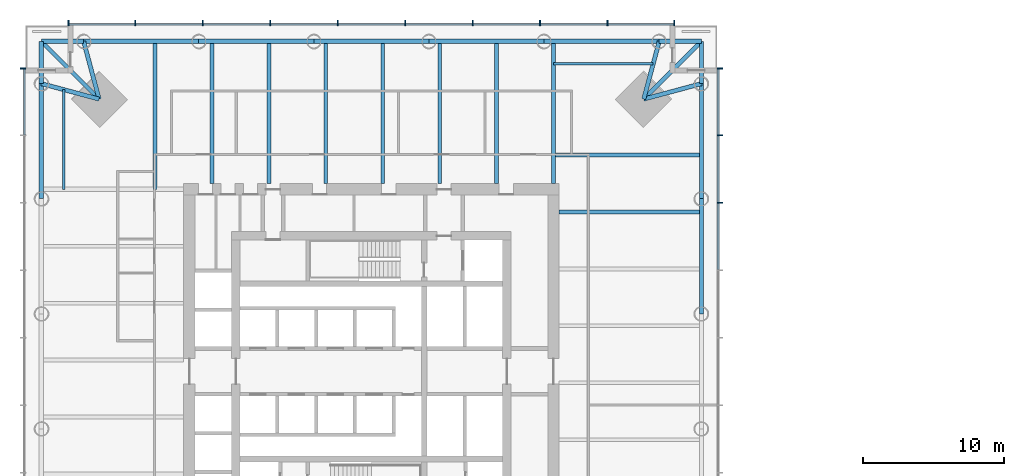
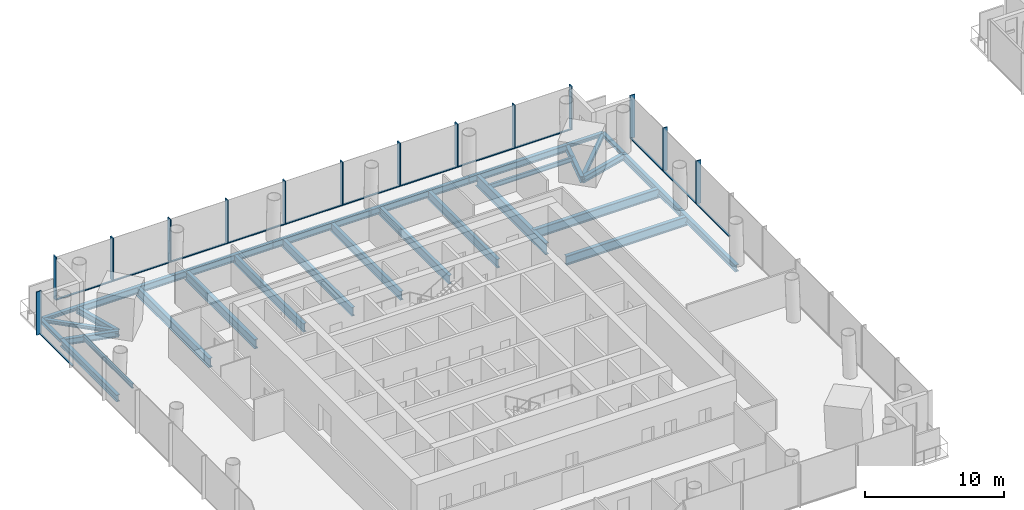
# One storey, part 4 of 22: 30 beams, 27 members, 3 elements without a shape of their own.
"""IFC4 building model written with IfcOpenShell, lengths in metres."""

from ifc_helpers import new_model, si_unit, direction, frame, origin, origin_2d, place, context, subcontext, project, spatial, rectangle, i_section, extrude, material, material_profile, profile_set, type_object, element, aggregate, save


model = new_model("IFC4")

# Units and contexts
model_context = context("Model", 3, precision=1e-05, world=origin(), true_north=direction((0.0, 1.0)))
body_context = subcontext(model_context, "Body", "Model", "MODEL_VIEW")
ifc_project = project(units=[si_unit("LENGTHUNIT", "METRE"), si_unit("AREAUNIT", "SQUARE_METRE"), si_unit("VOLUMEUNIT", "CUBIC_METRE"), si_unit("PLANEANGLEUNIT", "RADIAN"), si_unit("MASSUNIT", "GRAM", prefix="KILO")], contexts=[model_context])

# Site, building, storey
site_placement = place(None, origin())
site = spatial("IfcSite", under=ifc_project, at=site_placement, CompositionType="ELEMENT")
building_placement = place(site_placement, origin())
building = spatial("IfcBuilding", under=site, at=building_placement, Name="Ostroluk Exchange", CompositionType="ELEMENT")
storey_placement = place(building_placement, frame((0.0, 0.0, 40.0)))
storey = spatial("IfcBuildingStorey", under=building, at=storey_placement, Name="L09", CompositionType="ELEMENT", Elevation=40.0)

# Beams
ifc_material_1 = material(Name="Steel S355", Category="steel")
ifc_material_profile_1 = material_profile(ifc_material_1, i_section(OverallWidth=0.300048828125, OverallDepth=0.300048828125, WebThickness=0.010986328125, FlangeThickness=0.01904296875, FilletRadius=0.027099609375, at=origin_2d()), Name="HEB 300")
ifc_profile_set_1 = profile_set([ifc_material_profile_1], Name="Steel S355")
beam_type_1 = type_object("IfcBeamType", Name="Balcony beam HEB 300", PredefinedType="BEAM", material=ifc_profile_set_1)
for number, where, z_axis, x_axis, name in (
    (1, (68.392822265625, 66.392822265625, -0.330078125), (0.0, 1.0, 0.0), (-1.0, 0.0, 0.0), "T1 east balcony beam a"),
    (2, (65.392822265625, 69.392822265625, -0.330078125), (1.0, 0.0, 0.0), (0.0, 1.0, 0.0), "T1 east balcony beam b"),
):
    element("IfcBeam", number, at=place(storey_placement, frame(where, z_axis=z_axis, x_axis=x_axis)), inside=storey, type_object=beam_type_1, Name=name, PredefinedType="BEAM", context=body_context, shape_type="SweptSolid", body=[
        extrude(i_section(OverallWidth=0.300048828125, OverallDepth=0.300048828125, WebThickness=0.010986328125, FlangeThickness=0.01904296875, FilletRadius=0.027099609375, at=origin_2d()), origin(), (0.0, 0.0, 1.0), 3.0),
    ])
beam_1_placement = place(storey_placement, frame((64.29296875, 65.29296875, -0.330078125), z_axis=(0.707106781187, 0.707106781187, 0.0), x_axis=(-0.707106781187, 0.707106781187, 0.0)))
element("IfcBeam", 3, at=beam_1_placement, inside=storey, type_object=beam_type_1, Name="T1 east balcony beam c", PredefinedType="BEAM", context=body_context, shape_type="SweptSolid", body=[
    extrude(i_section(OverallWidth=0.300048828125, OverallDepth=0.300048828125, WebThickness=0.010986328125, FlangeThickness=0.01904296875, FilletRadius=0.027099609375, at=origin_2d()), origin(), (0.0, 0.0, 1.0), 5.798095703125),
])
for number, where, z_axis, x_axis, name in (
    (4, (24.607177734375, 69.392822265625, -0.330078125), (-1.0, 0.0, 0.0), (0.0, -1.0, 0.0), "T1 north balcony beam a"),
    (5, (21.607177734375, 66.392822265625, -0.330078125), (0.0, 1.0, 0.0), (-1.0, 0.0, 0.0), "T1 north balcony beam b"),
):
    element("IfcBeam", number, at=place(storey_placement, frame(where, z_axis=z_axis, x_axis=x_axis)), inside=storey, type_object=beam_type_1, Name=name, PredefinedType="BEAM", context=body_context, shape_type="SweptSolid", body=[
        extrude(i_section(OverallWidth=0.300048828125, OverallDepth=0.300048828125, WebThickness=0.010986328125, FlangeThickness=0.01904296875, FilletRadius=0.027099609375, at=origin_2d()), origin(), (0.0, 0.0, 1.0), 3.0),
    ])
beam_2_placement = place(storey_placement, frame((25.70703125, 65.29296875, -0.330078125), z_axis=(-0.707106781187, 0.707106781187, 0.0), x_axis=(-0.707106781187, -0.707106781187, 0.0)))
element("IfcBeam", 6, at=beam_2_placement, inside=storey, type_object=beam_type_1, Name="T1 north balcony beam c", PredefinedType="BEAM", context=body_context, shape_type="SweptSolid", body=[
    extrude(i_section(OverallWidth=0.300048828125, OverallDepth=0.300048828125, WebThickness=0.010986328125, FlangeThickness=0.01904296875, FilletRadius=0.027099609375, at=origin_2d()), origin(), (0.0, 0.0, 1.0), 5.798095703125),
])
ifc_material_2 = material(Name="Steel S355", Category="steel")
ifc_material_profile_2 = material_profile(ifc_material_2, i_section(OverallWidth=0.300048828125, OverallDepth=0.550048828125, WebThickness=0.014892578125, FlangeThickness=0.029052734375, FilletRadius=0.027099609375, at=origin_2d()), Name="HEB 550")
ifc_profile_set_2 = profile_set([ifc_material_profile_2], Name="Steel S355")
beam_type_2 = type_object("IfcBeamType", Name="Corner edge beam HEB 550", PredefinedType="SPANDREL", material=ifc_profile_set_2)
for number, where, z_axis, x_axis, name in (
    (7, (64.29296875, 65.29296875, -0.455078125), (0.965849156574, 0.259105011038, 0.0), (-0.259105011038, 0.965849156574, 0.0), "T1 east corner edge beam a"),
    (8, (64.29296875, 65.29296875, -0.455078125), (0.259105011038, 0.965849156574, 0.0), (-0.965849156574, 0.259105011038, 0.0), "T1 east corner edge beam b"),
    (9, (25.70703125, 65.29296875, -0.455078125), (-0.259105011038, 0.965849156574, 0.0), (-0.965849156574, -0.259105011038, 0.0), "T1 north corner edge beam a"),
    (10, (25.70703125, 65.29296875, -0.455078125), (-0.965849156574, 0.259105011038, 0.0), (-0.259105011038, -0.965849156574, 0.0), "T1 north corner edge beam b"),
):
    element("IfcBeam", number, at=place(storey_placement, frame(where, z_axis=z_axis, x_axis=x_axis)), inside=storey, type_object=beam_type_2, Name=name, PredefinedType="SPANDREL", context=body_context, shape_type="SweptSolid", body=[
        extrude(i_section(OverallWidth=0.300048828125, OverallDepth=0.550048828125, WebThickness=0.014892578125, FlangeThickness=0.029052734375, FilletRadius=0.027099609375, at=origin_2d()), origin(), (0.0, 0.0, 1.0), 4.244873046875),
    ])
ifc_material_3 = material(Name="Steel S355", Category="steel")
ifc_material_profile_3 = material_profile(ifc_material_3, i_section(OverallWidth=0.302978515625, OverallDepth=0.81396484375, WebThickness=0.02099609375, FlangeThickness=0.0400390625, FilletRadius=0.030029296875, at=origin_2d()), Name="HEM 800")
ifc_profile_set_3 = profile_set([ifc_material_profile_3], Name="Steel S355")
beam_type_3 = type_object("IfcBeamType", Name="Floor beam HEM 800", PredefinedType="BEAM", material=ifc_profile_set_3)
beam_3_placement = place(storey_placement, frame((58.300048828125, 57.295166015625, -0.5869140625), z_axis=(1.0, 0.0, 0.0), x_axis=(0.0, 1.0, 0.0)))
element("IfcBeam", 11, at=beam_3_placement, inside=storey, type_object=beam_type_3, Name="T1 east floor beam 6", PredefinedType="BEAM", context=body_context, shape_type="SweptSolid", body=[
    extrude(i_section(OverallWidth=0.302978515625, OverallDepth=0.81396484375, WebThickness=0.02099609375, FlangeThickness=0.0400390625, FilletRadius=0.030029296875, at=origin_2d()), origin(), (0.0, 0.0, 1.0), 10.0927734375),
])
beam_4_placement = place(storey_placement, frame((57.89990234375, 61.327880859375, -0.5869140625), z_axis=(1.0, 0.0, 0.0), x_axis=(0.0, 1.0, 0.0)))
element("IfcBeam", 12, at=beam_4_placement, inside=storey, type_object=beam_type_3, Name="T1 east floor beam 7", PredefinedType="BEAM", context=body_context, shape_type="SweptSolid", body=[
    extrude(i_section(OverallWidth=0.302978515625, OverallDepth=0.81396484375, WebThickness=0.02099609375, FlangeThickness=0.0400390625, FilletRadius=0.030029296875, at=origin_2d()), origin(), (0.0, 0.0, 1.0), 10.492919921875),
])
beam_5_placement = place(storey_placement, frame((33.704833984375, 59.300048828125, -0.5869140625), z_axis=(0.0, 1.0, 0.0), x_axis=(-1.0, 0.0, 0.0)))
element("IfcBeam", 13, at=beam_5_placement, inside=storey, type_object=beam_type_3, Name="T1 north floor beam 6", PredefinedType="BEAM", context=body_context, shape_type="SweptSolid", body=[
    extrude(i_section(OverallWidth=0.302978515625, OverallDepth=0.81396484375, WebThickness=0.02099609375, FlangeThickness=0.0400390625, FilletRadius=0.030029296875, at=origin_2d()), origin(), (0.0, 0.0, 1.0), 10.0927734375),
])
beam_6_placement = place(storey_placement, frame((29.672119140625, 58.89990234375, -0.5869140625), z_axis=(0.0, 1.0, 0.0), x_axis=(-1.0, 0.0, 0.0)))
element("IfcBeam", 14, at=beam_6_placement, inside=storey, type_object=beam_type_3, Name="T1 north floor beam 7", PredefinedType="BEAM", context=body_context, shape_type="SweptSolid", body=[
    extrude(i_section(OverallWidth=0.302978515625, OverallDepth=0.81396484375, WebThickness=0.02099609375, FlangeThickness=0.0400390625, FilletRadius=0.030029296875, at=origin_2d()), origin(), (0.0, 0.0, 1.0), 10.492919921875),
])
ifc_material_4 = material(Name="Steel S355", Category="steel")
ifc_material_profile_4 = material_profile(ifc_material_4, i_section(OverallWidth=0.179931640625, OverallDepth=0.39990234375, WebThickness=0.008544921875, FlangeThickness=0.013427734375, FilletRadius=0.02099609375, at=origin_2d()), Name="IPE 400")
ifc_profile_set_4 = profile_set([ifc_material_profile_4], Name="Steel S355")
beam_type_4 = type_object("IfcBeamType", Name="Floor beam IPE 400", PredefinedType="BEAM", material=ifc_profile_set_4)
for number, where, z_axis, x_axis, name in (
    (15, (57.89990234375, 67.79296875, -0.3798828125), (1.0, 0.0, 0.0), (0.0, 1.0, 0.0), "T1 east floor beam 8"),
    (16, (23.20703125, 58.89990234375, -0.3798828125), (0.0, 1.0, 0.0), (-1.0, 0.0, 0.0), "T1 north floor beam 8"),
):
    element("IfcBeam", number, at=place(storey_placement, frame(where, z_axis=z_axis, x_axis=x_axis)), inside=storey, type_object=beam_type_4, Name=name, PredefinedType="BEAM", context=body_context, shape_type="SweptSolid", body=[
        extrude(i_section(OverallWidth=0.179931640625, OverallDepth=0.39990234375, WebThickness=0.008544921875, FlangeThickness=0.013427734375, FilletRadius=0.02099609375, at=origin_2d()), origin(), (0.0, 0.0, 1.0), 7.063720703125),
    ])
ifc_material_5 = material(Name="Steel S355", Category="steel")
ifc_material_profile_5 = material_profile(ifc_material_5, i_section(OverallWidth=0.26806640625, OverallDepth=0.77001953125, WebThickness=0.015625, FlangeThickness=0.025390625, FilletRadius=0.01708984375, at=origin_2d()), Name="IPE 750x196")
ifc_profile_set_5 = profile_set([ifc_material_profile_5], Name="Steel S355")
beam_type_5 = type_object("IfcBeamType", Name="Floor beam IPE 750x196", PredefinedType="BEAM", material=ifc_profile_set_5)
for number, where, z_axis, x_axis, name in (
    (17, (53.867431640625, 59.300048828125, -0.56494140625), (0.0, 1.0, 0.0), (-1.0, 0.0, 0.0), "T1 north floor beam 1"),
    (18, (49.8349609375, 59.300048828125, -0.56494140625), (0.0, 1.0, 0.0), (-1.0, 0.0, 0.0), "T1 north floor beam 2"),
    (19, (45.802490234375, 59.300048828125, -0.56494140625), (0.0, 1.0, 0.0), (-1.0, 0.0, 0.0), "T1 north floor beam 3"),
    (20, (41.769775390625, 59.300048828125, -0.56494140625), (0.0, 1.0, 0.0), (-1.0, 0.0, 0.0), "T1 north floor beam 4"),
    (21, (37.7373046875, 59.300048828125, -0.56494140625), (0.0, 1.0, 0.0), (-1.0, 0.0, 0.0), "T1 north floor beam 5"),
):
    element("IfcBeam", number, at=place(storey_placement, frame(where, z_axis=z_axis, x_axis=x_axis)), inside=storey, type_object=beam_type_5, Name=name, PredefinedType="BEAM", context=body_context, shape_type="SweptSolid", body=[
        extrude(i_section(OverallWidth=0.26806640625, OverallDepth=0.77001953125, WebThickness=0.015625, FlangeThickness=0.025390625, FilletRadius=0.01708984375, at=origin_2d()), origin(), (0.0, 0.0, 1.0), 10.0927734375),
    ])
ifc_material_6 = material(Name="Steel S355", Category="steel")
ifc_material_profile_6 = material_profile(ifc_material_6, i_section(OverallWidth=0.302001953125, OverallDepth=1.008056640625, WebThickness=0.02099609375, FlangeThickness=0.0400390625, FilletRadius=0.030029296875, at=origin_2d()), Name="HEM 1000")
ifc_profile_set_6 = profile_set([ifc_material_profile_6], Name="Steel S355")
beam_type_6 = type_object("IfcBeamType", Name="Girder HEM 1000", PredefinedType="BEAM", material=ifc_profile_set_6)
beam_7_placement = place(storey_placement, frame((57.89990234375, 59.300048828125, -0.68408203125), z_axis=(0.0, 1.0, 0.0), x_axis=(-1.0, 0.0, 0.0)))
element("IfcBeam", 22, at=beam_7_placement, inside=storey, type_object=beam_type_6, Name="T1 east girder", PredefinedType="BEAM", context=body_context, shape_type="SweptSolid", body=[
    extrude(i_section(OverallWidth=0.302001953125, OverallDepth=1.008056640625, WebThickness=0.02099609375, FlangeThickness=0.0400390625, FilletRadius=0.030029296875, at=origin_2d()), origin(), (0.0, 0.0, 1.0), 10.0927734375),
])
ifc_material_7 = material(Name="Steel S355", Category="steel")
ifc_material_profile_7 = material_profile(ifc_material_7, i_section(OverallWidth=0.300048828125, OverallDepth=0.60009765625, WebThickness=0.015380859375, FlangeThickness=0.030029296875, FilletRadius=0.027099609375, at=origin_2d()), Name="HEB 600")
ifc_profile_set_7 = profile_set([ifc_material_profile_7], Name="Steel S355")
beam_type_7 = type_object("IfcBeamType", Name="Moment-connected edge beam HEB 600", PredefinedType="SPANDREL", material=ifc_profile_set_7)
beam_8_placement = place(storey_placement, frame((68.392822265625, 50.07861328125, -0.47998046875), z_axis=(0.0, 1.0, 0.0), x_axis=(-1.0, 0.0, 0.0)))
element("IfcBeam", 23, at=beam_8_placement, inside=storey, type_object=beam_type_7, Name="T1 east edge beam 4", PredefinedType="SPANDREL", context=body_context, shape_type="SweptSolid", body=[
    extrude(i_section(OverallWidth=0.300048828125, OverallDepth=0.60009765625, WebThickness=0.015380859375, FlangeThickness=0.030029296875, FilletRadius=0.027099609375, at=origin_2d()), origin(), (0.0, 0.0, 1.0), 8.156982421875),
])
for number, where, z_axis, x_axis, name in (
    (24, (68.392822265625, 58.235595703125, -0.47998046875), (0.0, 1.0, 0.0), (-1.0, 0.0, 0.0), "T1 east edge beam 5"),
    (25, (65.392822265625, 69.392822265625, -0.47998046875), (-1.0, 0.0, 0.0), (0.0, -1.0, 0.0), "T1 north edge beam 1"),
):
    element("IfcBeam", number, at=place(storey_placement, frame(where, z_axis=z_axis, x_axis=x_axis)), inside=storey, type_object=beam_type_7, Name=name, PredefinedType="SPANDREL", context=body_context, shape_type="SweptSolid", body=[
        extrude(i_section(OverallWidth=0.300048828125, OverallDepth=0.60009765625, WebThickness=0.015380859375, FlangeThickness=0.030029296875, FilletRadius=0.027099609375, at=origin_2d()), origin(), (0.0, 0.0, 1.0), 8.1572265625),
    ])
beam_9_placement = place(storey_placement, frame((57.235595703125, 69.392822265625, -0.47998046875), z_axis=(-1.0, 0.0, 0.0), x_axis=(0.0, -1.0, 0.0)))
element("IfcBeam", 26, at=beam_9_placement, inside=storey, type_object=beam_type_7, Name="T1 north edge beam 2", PredefinedType="SPANDREL", context=body_context, shape_type="SweptSolid", body=[
    extrude(i_section(OverallWidth=0.300048828125, OverallDepth=0.60009765625, WebThickness=0.015380859375, FlangeThickness=0.030029296875, FilletRadius=0.027099609375, at=origin_2d()), origin(), (0.0, 0.0, 1.0), 8.156982421875),
])
beam_10_placement = place(storey_placement, frame((49.07861328125, 69.392822265625, -0.47998046875), z_axis=(-1.0, 0.0, 0.0), x_axis=(0.0, -1.0, 0.0)))
element("IfcBeam", 27, at=beam_10_placement, inside=storey, type_object=beam_type_7, Name="T1 north edge beam 3", PredefinedType="SPANDREL", context=body_context, shape_type="SweptSolid", body=[
    extrude(i_section(OverallWidth=0.300048828125, OverallDepth=0.60009765625, WebThickness=0.015380859375, FlangeThickness=0.030029296875, FilletRadius=0.027099609375, at=origin_2d()), origin(), (0.0, 0.0, 1.0), 8.1572265625),
])
beam_11_placement = place(storey_placement, frame((40.92138671875, 69.392822265625, -0.47998046875), z_axis=(-1.0, 0.0, 0.0), x_axis=(0.0, -1.0, 0.0)))
element("IfcBeam", 28, at=beam_11_placement, inside=storey, type_object=beam_type_7, Name="T1 north edge beam 4", PredefinedType="SPANDREL", context=body_context, shape_type="SweptSolid", body=[
    extrude(i_section(OverallWidth=0.300048828125, OverallDepth=0.60009765625, WebThickness=0.015380859375, FlangeThickness=0.030029296875, FilletRadius=0.027099609375, at=origin_2d()), origin(), (0.0, 0.0, 1.0), 8.156982421875),
])
for number, where, z_axis, x_axis, name in (
    (29, (32.764404296875, 69.392822265625, -0.47998046875), (-1.0, 0.0, 0.0), (0.0, -1.0, 0.0), "T1 north edge beam 5"),
    (30, (21.607177734375, 66.392822265625, -0.47998046875), (0.0, -1.0, 0.0), (1.0, 0.0, 0.0), "T1 west edge beam 1"),
):
    element("IfcBeam", number, at=place(storey_placement, frame(where, z_axis=z_axis, x_axis=x_axis)), inside=storey, type_object=beam_type_7, Name=name, PredefinedType="SPANDREL", context=body_context, shape_type="SweptSolid", body=[
        extrude(i_section(OverallWidth=0.300048828125, OverallDepth=0.60009765625, WebThickness=0.015380859375, FlangeThickness=0.030029296875, FilletRadius=0.027099609375, at=origin_2d()), origin(), (0.0, 0.0, 1.0), 8.1572265625),
    ])

# Curtain wall, members
ifc_material_8 = material(Name="Laminated clear glass", Category="glass")
curtain_wall_type = type_object("IfcCurtainWallType", Name="Office tower facade", PredefinedType="USERDEFINED", material=ifc_material_8)
curtain_wall_1_placement = place(storey_placement, origin())
curtain_wall_1 = element("IfcCurtainWall", 31, at=curtain_wall_1_placement, inside=storey, type_object=curtain_wall_type, Name="Office tower east facade L09", ObjectType="UNITISED CURTAIN WALL", PredefinedType="USERDEFINED")
ifc_material_9 = material(Name="Aluminium mullion", Category="aluminium")
ifc_material_profile_8 = material_profile(ifc_material_9, rectangle(XDim=0.14990234375, YDim=0.080078125, at=origin_2d()), Name="Sill transom 80 x 150")
ifc_profile_set_8 = profile_set([ifc_material_profile_8], Name="Aluminium mullion")
member_type_1 = type_object("IfcMemberType", Name="Sill transom 80 x 150", PredefinedType="USERDEFINED", material=ifc_profile_set_8)
member_1_placement = place(storey_placement, frame((69.574951171875, 53.206787109375, 0.0400390625), z_axis=(0.0, 1.0, 0.0), x_axis=(-1.0, 0.0, 0.0)))
member_1 = element("IfcMember", 32, at=member_1_placement, type_object=member_type_1, Name="CW-O1 transom 7.1", ObjectType="TRANSOM", PredefinedType="USERDEFINED", context=body_context, shape_type="SweptSolid", body=[
    extrude(rectangle(XDim=0.14990234375, YDim=0.080078125, at=origin_2d()), origin(), (0.0, 0.0, 1.0), 4.69775390625),
])
member_2_placement = place(storey_placement, frame((69.574951171875, 57.984375, 0.0400390625), z_axis=(0.0, 1.0, 0.0), x_axis=(-1.0, 0.0, 0.0)))
member_2 = element("IfcMember", 33, at=member_2_placement, type_object=member_type_1, Name="CW-O1 transom 8.1", ObjectType="TRANSOM", PredefinedType="USERDEFINED", context=body_context, shape_type="SweptSolid", body=[
    extrude(rectangle(XDim=0.14990234375, YDim=0.080078125, at=origin_2d()), origin(), (0.0, 0.0, 1.0), 4.69775390625),
])
member_3_placement = place(storey_placement, frame((69.574951171875, 62.76220703125, 0.0400390625), z_axis=(0.0, 1.0, 0.0), x_axis=(-1.0, 0.0, 0.0)))
member_3 = element("IfcMember", 34, at=member_3_placement, type_object=member_type_1, Name="CW-O1 transom 9.1", ObjectType="TRANSOM", PredefinedType="USERDEFINED", context=body_context, shape_type="SweptSolid", body=[
    extrude(rectangle(XDim=0.14990234375, YDim=0.080078125, at=origin_2d()), origin(), (0.0, 0.0, 1.0), 4.65771484375),
])

curtain_wall_2_placement = place(storey_placement, origin())
curtain_wall_2 = element("IfcCurtainWall", 35, at=curtain_wall_2_placement, inside=storey, type_object=curtain_wall_type, Name="Office tower north facade L09", ObjectType="UNITISED CURTAIN WALL", PredefinedType="USERDEFINED")
member_4_placement = place(storey_placement, frame((66.419921875, 70.574951171875, 0.0400390625), z_axis=(-1.0, 0.0, 0.0), x_axis=(0.0, -1.0, 0.0)))
member_4 = element("IfcMember", 36, at=member_4_placement, type_object=member_type_1, Name="CW-O1 transom 1.1", ObjectType="TRANSOM", PredefinedType="USERDEFINED", context=body_context, shape_type="SweptSolid", body=[
    extrude(rectangle(XDim=0.14990234375, YDim=0.080078125, at=origin_2d()), origin(), (0.0, 0.0, 1.0), 4.65771484375),
])
member_5_placement = place(storey_placement, frame((61.68212890625, 70.574951171875, 0.0400390625), z_axis=(-1.0, 0.0, 0.0), x_axis=(0.0, -1.0, 0.0)))
member_5 = element("IfcMember", 37, at=member_5_placement, type_object=member_type_1, Name="CW-O1 transom 2.1", ObjectType="TRANSOM", PredefinedType="USERDEFINED", context=body_context, shape_type="SweptSolid", body=[
    extrude(rectangle(XDim=0.14990234375, YDim=0.080078125, at=origin_2d()), origin(), (0.0, 0.0, 1.0), 4.69775390625),
])
member_6_placement = place(storey_placement, frame((56.904541015625, 70.574951171875, 0.0400390625), z_axis=(-1.0, 0.0, 0.0), x_axis=(0.0, -1.0, 0.0)))
member_6 = element("IfcMember", 38, at=member_6_placement, type_object=member_type_1, Name="CW-O1 transom 3.1", ObjectType="TRANSOM", PredefinedType="USERDEFINED", context=body_context, shape_type="SweptSolid", body=[
    extrude(rectangle(XDim=0.14990234375, YDim=0.080078125, at=origin_2d()), origin(), (0.0, 0.0, 1.0), 4.69775390625),
])
member_7_placement = place(storey_placement, frame((52.126708984375, 70.574951171875, 0.0400390625), z_axis=(-1.0, 0.0, 0.0), x_axis=(0.0, -1.0, 0.0)))
member_7 = element("IfcMember", 39, at=member_7_placement, type_object=member_type_1, Name="CW-O1 transom 4.1", ObjectType="TRANSOM", PredefinedType="USERDEFINED", context=body_context, shape_type="SweptSolid", body=[
    extrude(rectangle(XDim=0.14990234375, YDim=0.080078125, at=origin_2d()), origin(), (0.0, 0.0, 1.0), 4.69775390625),
])
member_8_placement = place(storey_placement, frame((47.348876953125, 70.574951171875, 0.0400390625), z_axis=(-1.0, 0.0, 0.0), x_axis=(0.0, -1.0, 0.0)))
member_8 = element("IfcMember", 40, at=member_8_placement, type_object=member_type_1, Name="CW-O1 transom 5.1", ObjectType="TRANSOM", PredefinedType="USERDEFINED", context=body_context, shape_type="SweptSolid", body=[
    extrude(rectangle(XDim=0.14990234375, YDim=0.080078125, at=origin_2d()), origin(), (0.0, 0.0, 1.0), 4.69775390625),
])
member_9_placement = place(storey_placement, frame((42.571044921875, 70.574951171875, 0.0400390625), z_axis=(-1.0, 0.0, 0.0), x_axis=(0.0, -1.0, 0.0)))
member_9 = element("IfcMember", 41, at=member_9_placement, type_object=member_type_1, Name="CW-O1 transom 6.1", ObjectType="TRANSOM", PredefinedType="USERDEFINED", context=body_context, shape_type="SweptSolid", body=[
    extrude(rectangle(XDim=0.14990234375, YDim=0.080078125, at=origin_2d()), origin(), (0.0, 0.0, 1.0), 4.69775390625),
])
member_10_placement = place(storey_placement, frame((37.793212890625, 70.574951171875, 0.0400390625), z_axis=(-1.0, 0.0, 0.0), x_axis=(0.0, -1.0, 0.0)))
member_10 = element("IfcMember", 42, at=member_10_placement, type_object=member_type_1, Name="CW-O1 transom 7.1", ObjectType="TRANSOM", PredefinedType="USERDEFINED", context=body_context, shape_type="SweptSolid", body=[
    extrude(rectangle(XDim=0.14990234375, YDim=0.080078125, at=origin_2d()), origin(), (0.0, 0.0, 1.0), 4.69775390625),
])
member_11_placement = place(storey_placement, frame((33.015625, 70.574951171875, 0.0400390625), z_axis=(-1.0, 0.0, 0.0), x_axis=(0.0, -1.0, 0.0)))
member_11 = element("IfcMember", 43, at=member_11_placement, type_object=member_type_1, Name="CW-O1 transom 8.1", ObjectType="TRANSOM", PredefinedType="USERDEFINED", context=body_context, shape_type="SweptSolid", body=[
    extrude(rectangle(XDim=0.14990234375, YDim=0.080078125, at=origin_2d()), origin(), (0.0, 0.0, 1.0), 4.69775390625),
])
member_12_placement = place(storey_placement, frame((28.23779296875, 70.574951171875, 0.0400390625), z_axis=(-1.0, 0.0, 0.0), x_axis=(0.0, -1.0, 0.0)))
member_12 = element("IfcMember", 44, at=member_12_placement, type_object=member_type_1, Name="CW-O1 transom 9.1", ObjectType="TRANSOM", PredefinedType="USERDEFINED", context=body_context, shape_type="SweptSolid", body=[
    extrude(rectangle(XDim=0.14990234375, YDim=0.080078125, at=origin_2d()), origin(), (0.0, 0.0, 1.0), 4.65771484375),
])

# Curtain wall, member
curtain_wall_3_placement = place(storey_placement, origin())
curtain_wall_3 = element("IfcCurtainWall", 45, at=curtain_wall_3_placement, inside=storey, type_object=curtain_wall_type, Name="Office tower west facade L09", ObjectType="UNITISED CURTAIN WALL", PredefinedType="USERDEFINED")
member_13_placement = place(storey_placement, frame((20.425048828125, 67.419921875, 0.0400390625), z_axis=(0.0, -1.0, 0.0), x_axis=(1.0, 0.0, 0.0)))
member_13 = element("IfcMember", 46, at=member_13_placement, type_object=member_type_1, Name="CW-O1 transom 1.1", ObjectType="TRANSOM", PredefinedType="USERDEFINED", context=body_context, shape_type="SweptSolid", body=[
    extrude(rectangle(XDim=0.14990234375, YDim=0.080078125, at=origin_2d()), origin(), (0.0, 0.0, 1.0), 4.65771484375),
])

# Member
ifc_material_10 = material(Name="Aluminium mullion with limestone facing", Category="masonry")
ifc_material_profile_9 = material_profile(ifc_material_10, rectangle(XDim=0.39990234375, YDim=0.080078125, at=origin_2d()), Name="Tracery mullion 80 x 400")
ifc_profile_set_9 = profile_set([ifc_material_profile_9], Name="Aluminium mullion with limestone facing")
member_type_2 = type_object("IfcMemberType", Name="Tracery mullion 80 x 400", PredefinedType="MULLION", material=ifc_profile_set_9)
member_14_placement = place(storey_placement, frame((69.699951171875, 57.9443359375, 0.0), z_axis=(0.0, 0.0, 1.0), x_axis=(-1.0, 0.0, 0.0)))
member_14 = element("IfcMember", 47, at=member_14_placement, type_object=member_type_2, Name="CW-O1 mullion 8", PredefinedType="MULLION", context=body_context, shape_type="SweptSolid", body=[
    extrude(rectangle(XDim=0.39990234375, YDim=0.080078125, at=origin_2d()), origin(), (0.0, 0.0, 1.0), 3.800048828125),
])

member_15_placement = place(storey_placement, frame((69.699951171875, 62.72216796875, 0.0), z_axis=(0.0, 0.0, 1.0), x_axis=(-1.0, 0.0, 0.0)))
member_15 = element("IfcMember", 48, at=member_15_placement, type_object=member_type_2, Name="CW-O1 mullion 9", PredefinedType="MULLION", context=body_context, shape_type="SweptSolid", body=[
    extrude(rectangle(XDim=0.39990234375, YDim=0.080078125, at=origin_2d()), origin(), (0.0, 0.0, 1.0), 3.800048828125),
])

member_16_placement = place(storey_placement, frame((69.699951171875, 67.4599609375, 0.0), z_axis=(0.0, 0.0, 1.0), x_axis=(-1.0, 0.0, 0.0)))
member_16 = element("IfcMember", 49, at=member_16_placement, type_object=member_type_2, Name="CW-O1 mullion 10", PredefinedType="MULLION", context=body_context, shape_type="SweptSolid", body=[
    extrude(rectangle(XDim=0.39990234375, YDim=0.080078125, at=origin_2d()), origin(), (0.0, 0.0, 1.0), 3.800048828125),
])

aggregate(curtain_wall_1, [member_14, member_15, member_16, member_1, member_2, member_3])

member_17_placement = place(storey_placement, frame((66.4599609375, 70.699951171875, 0.0), z_axis=(0.0, 0.0, 1.0), x_axis=(0.0, -1.0, 0.0)))
member_17 = element("IfcMember", 50, at=member_17_placement, type_object=member_type_2, Name="CW-O1 mullion 1", PredefinedType="MULLION", context=body_context, shape_type="SweptSolid", body=[
    extrude(rectangle(XDim=0.39990234375, YDim=0.080078125, at=origin_2d()), origin(), (0.0, 0.0, 1.0), 3.800048828125),
])

member_18_placement = place(storey_placement, frame((61.72216796875, 70.699951171875, 0.0), z_axis=(0.0, 0.0, 1.0), x_axis=(0.0, -1.0, 0.0)))
member_18 = element("IfcMember", 51, at=member_18_placement, type_object=member_type_2, Name="CW-O1 mullion 2", PredefinedType="MULLION", context=body_context, shape_type="SweptSolid", body=[
    extrude(rectangle(XDim=0.39990234375, YDim=0.080078125, at=origin_2d()), origin(), (0.0, 0.0, 1.0), 3.800048828125),
])

member_19_placement = place(storey_placement, frame((56.9443359375, 70.699951171875, 0.0), z_axis=(0.0, 0.0, 1.0), x_axis=(0.0, -1.0, 0.0)))
member_19 = element("IfcMember", 52, at=member_19_placement, type_object=member_type_2, Name="CW-O1 mullion 3", PredefinedType="MULLION", context=body_context, shape_type="SweptSolid", body=[
    extrude(rectangle(XDim=0.39990234375, YDim=0.080078125, at=origin_2d()), origin(), (0.0, 0.0, 1.0), 3.800048828125),
])

member_20_placement = place(storey_placement, frame((52.166748046875, 70.699951171875, 0.0), z_axis=(0.0, 0.0, 1.0), x_axis=(0.0, -1.0, 0.0)))
member_20 = element("IfcMember", 53, at=member_20_placement, type_object=member_type_2, Name="CW-O1 mullion 4", PredefinedType="MULLION", context=body_context, shape_type="SweptSolid", body=[
    extrude(rectangle(XDim=0.39990234375, YDim=0.080078125, at=origin_2d()), origin(), (0.0, 0.0, 1.0), 3.800048828125),
])

member_21_placement = place(storey_placement, frame((47.388916015625, 70.699951171875, 0.0), z_axis=(0.0, 0.0, 1.0), x_axis=(0.0, -1.0, 0.0)))
member_21 = element("IfcMember", 54, at=member_21_placement, type_object=member_type_2, Name="CW-O1 mullion 5", PredefinedType="MULLION", context=body_context, shape_type="SweptSolid", body=[
    extrude(rectangle(XDim=0.39990234375, YDim=0.080078125, at=origin_2d()), origin(), (0.0, 0.0, 1.0), 3.800048828125),
])

member_22_placement = place(storey_placement, frame((42.611083984375, 70.699951171875, 0.0), z_axis=(0.0, 0.0, 1.0), x_axis=(0.0, -1.0, 0.0)))
member_22 = element("IfcMember", 55, at=member_22_placement, type_object=member_type_2, Name="CW-O1 mullion 6", PredefinedType="MULLION", context=body_context, shape_type="SweptSolid", body=[
    extrude(rectangle(XDim=0.39990234375, YDim=0.080078125, at=origin_2d()), origin(), (0.0, 0.0, 1.0), 3.800048828125),
])

member_23_placement = place(storey_placement, frame((37.833251953125, 70.699951171875, 0.0), z_axis=(0.0, 0.0, 1.0), x_axis=(0.0, -1.0, 0.0)))
member_23 = element("IfcMember", 56, at=member_23_placement, type_object=member_type_2, Name="CW-O1 mullion 7", PredefinedType="MULLION", context=body_context, shape_type="SweptSolid", body=[
    extrude(rectangle(XDim=0.39990234375, YDim=0.080078125, at=origin_2d()), origin(), (0.0, 0.0, 1.0), 3.800048828125),
])

member_24_placement = place(storey_placement, frame((33.0556640625, 70.699951171875, 0.0), z_axis=(0.0, 0.0, 1.0), x_axis=(0.0, -1.0, 0.0)))
member_24 = element("IfcMember", 57, at=member_24_placement, type_object=member_type_2, Name="CW-O1 mullion 8", PredefinedType="MULLION", context=body_context, shape_type="SweptSolid", body=[
    extrude(rectangle(XDim=0.39990234375, YDim=0.080078125, at=origin_2d()), origin(), (0.0, 0.0, 1.0), 3.800048828125),
])

member_25_placement = place(storey_placement, frame((28.27783203125, 70.699951171875, 0.0), z_axis=(0.0, 0.0, 1.0), x_axis=(0.0, -1.0, 0.0)))
member_25 = element("IfcMember", 58, at=member_25_placement, type_object=member_type_2, Name="CW-O1 mullion 9", PredefinedType="MULLION", context=body_context, shape_type="SweptSolid", body=[
    extrude(rectangle(XDim=0.39990234375, YDim=0.080078125, at=origin_2d()), origin(), (0.0, 0.0, 1.0), 3.800048828125),
])

member_26_placement = place(storey_placement, frame((23.5400390625, 70.699951171875, 0.0), z_axis=(0.0, 0.0, 1.0), x_axis=(0.0, -1.0, 0.0)))
member_26 = element("IfcMember", 59, at=member_26_placement, type_object=member_type_2, Name="CW-O1 mullion 10", PredefinedType="MULLION", context=body_context, shape_type="SweptSolid", body=[
    extrude(rectangle(XDim=0.39990234375, YDim=0.080078125, at=origin_2d()), origin(), (0.0, 0.0, 1.0), 3.800048828125),
])

aggregate(curtain_wall_2, [member_17, member_18, member_19, member_20, member_21, member_22, member_23, member_24, member_25, member_26, member_4, member_5, member_6, member_7, member_8, member_9, member_10, member_11, member_12])

member_27_placement = place(storey_placement, frame((20.300048828125, 67.4599609375, 0.0), z_axis=(0.0, 0.0, 1.0), x_axis=(1.0, 0.0, 0.0)))
member_27 = element("IfcMember", 60, at=member_27_placement, type_object=member_type_2, Name="CW-O1 mullion 1", PredefinedType="MULLION", context=body_context, shape_type="SweptSolid", body=[
    extrude(rectangle(XDim=0.39990234375, YDim=0.080078125, at=origin_2d()), origin(), (0.0, 0.0, 1.0), 3.800048828125),
])

aggregate(curtain_wall_3, [member_27, member_13])

save(model, "model.ifc")
